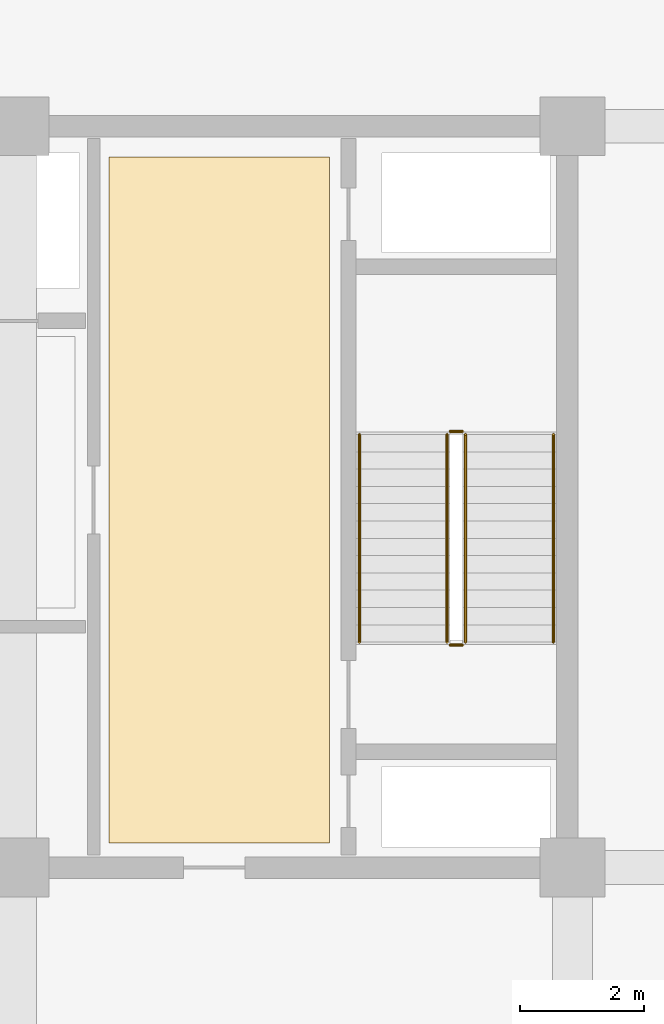
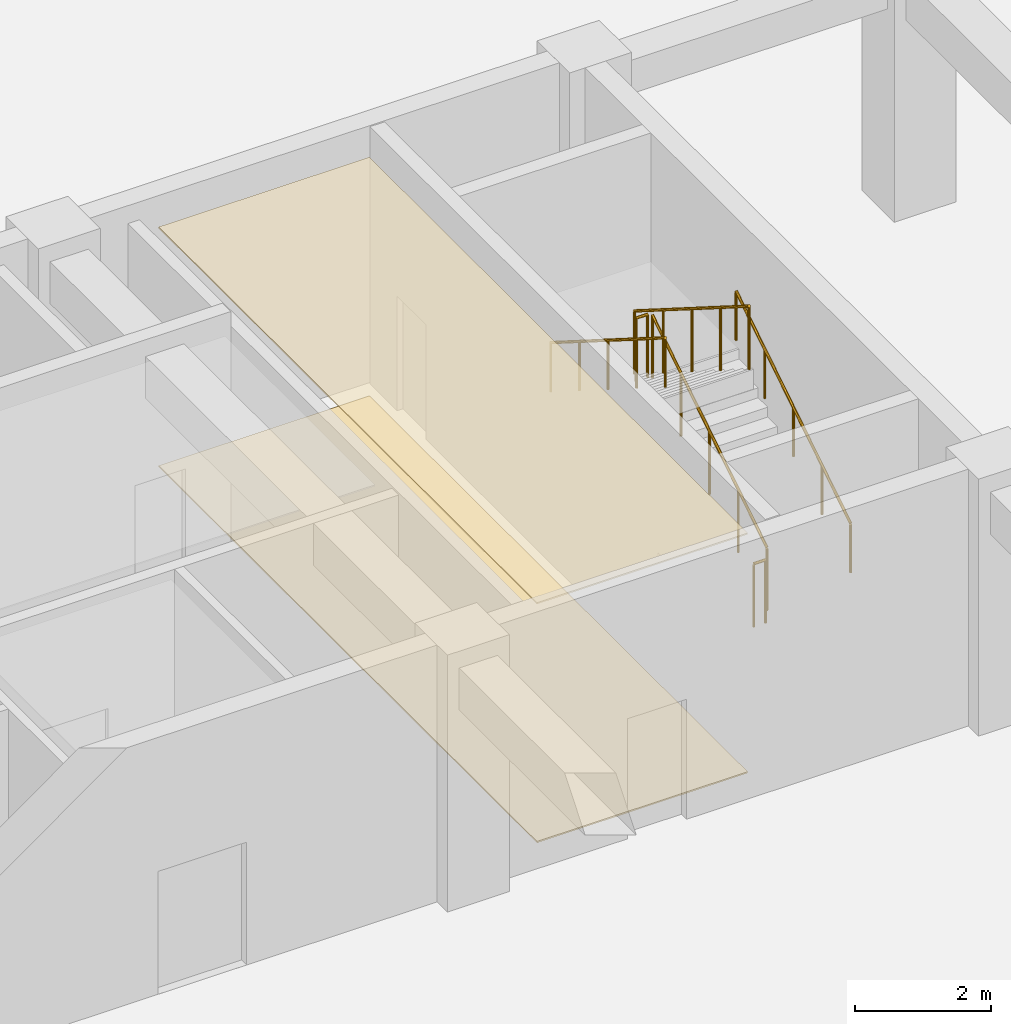
# One storey, part 37 of 45: 6 railings, 2 coverings.
"""IFC4 building model written with IfcOpenShell, lengths in metres."""

from ifc_helpers import new_model, si_unit, direction, frame, origin, origin_2d, place, context, subcontext, project, spatial, polyline, circle, outline, extrude, material, layer, layer_set, type_object, element, save


model = new_model("IFC4")

# Units and contexts
model_context = context("Model", 3, precision=1e-05, world=origin(), true_north=direction((0.0, 1.0)))
body_context = subcontext(model_context, "Body", "Model", "MODEL_VIEW")
ifc_project = project(units=[si_unit("LENGTHUNIT", "METRE"), si_unit("AREAUNIT", "SQUARE_METRE"), si_unit("VOLUMEUNIT", "CUBIC_METRE"), si_unit("PLANEANGLEUNIT", "RADIAN"), si_unit("MASSUNIT", "GRAM", prefix="KILO")], contexts=[model_context])

# Site, building, storey
site_placement = place(None, origin())
site = spatial("IfcSite", under=ifc_project, at=site_placement, CompositionType="ELEMENT")
building_placement = place(site_placement, origin())
building = spatial("IfcBuilding", under=site, at=building_placement, Name="Korimba Cascade Residences", CompositionType="ELEMENT")
storey_placement = place(building_placement, frame((0.0, 0.0, 5.39990234375)))
storey = spatial("IfcBuildingStorey", under=building, at=storey_placement, Name="L01", CompositionType="ELEMENT", Elevation=5.39990234375)

# Coverings
ifc_material_1 = material(Name="Perforated Acoustic Gypsum Ceiling", Category="gypsum")
ifc_layer_1 = layer(ifc_material_1, 0.02490234375)
ifc_layer_set_1 = layer_set([ifc_layer_1], Name="Perforated Acoustic Gypsum Ceiling")
covering_type_1 = type_object("IfcCoveringType", Name="COV-CLG-AC", PredefinedType="CEILING", material=ifc_layer_set_1)
covering_1_placement = place(storey_placement, frame((0.0, 0.0, 4.275146484375)))
element("IfcCovering", 1, at=covering_1_placement, inside=storey, type_object=covering_type_1, Name="L01 Suspended Acoustic Ceiling L01-EV2", PredefinedType="CEILING", context=body_context, shape_type="SweptSolid", body=[
    extrude(outline(polyline([(110.60009765625, 18.800048828125), (114.169921875, 18.800048828125), (114.169921875, 29.89990234375), (110.60009765625, 29.89990234375), (110.60009765625, 18.800048828125)])), origin(), (0.0, 0.0, 1.0), 0.02490234375),
])
ifc_material_2 = material(Name="Honed Travertine Stone Flooring", Category="masonry")
ifc_layer_2 = layer(ifc_material_2, 0.02490234375)
ifc_layer_set_2 = layer_set([ifc_layer_2], Name="Honed Travertine Stone Flooring")
covering_type_2 = type_object("IfcCoveringType", Name="COV-FLR-STN", PredefinedType="FLOORING", material=ifc_layer_set_2)
covering_2_placement = place(storey_placement, origin())
element("IfcCovering", 2, at=covering_2_placement, inside=storey, type_object=covering_type_2, Name="L01 Honed Travertine Stone Flooring L01-EV2", PredefinedType="FLOORING", context=body_context, shape_type="SweptSolid", body=[
    extrude(outline(polyline([(110.60009765625, 18.800048828125), (114.169921875, 18.800048828125), (114.169921875, 29.89990234375), (110.60009765625, 29.89990234375), (110.60009765625, 18.800048828125)])), origin(), (0.0, 0.0, 1.0), 0.025146484375),
])

# Railings
ifc_material_3 = material(Name="Painted Steel Stairwell Guardrail", Category="steel")
railing_type_1 = type_object("IfcRailingType", Name="RLG-ST-GD1150", PredefinedType="GUARDRAIL", material=ifc_material_3)
railing_1_placement = place(storey_placement, frame((116.3701171875, 22.050048828125, 0.177001953125)))
element("IfcRailing", 3, at=railing_1_placement, inside=storey, type_object=railing_type_1, Name="L01 ST-E2 stair guard 1", PredefinedType="GUARDRAIL", context=body_context, shape_type="SweptSolid", body=[
    extrude(circle(Radius=0.02392578125, at=origin_2d()), frame((0.0, 0.0, 1.1259765625), z_axis=(0.0, 0.845372108799, 0.534177870812), x_axis=(-1.0, 0.0, 0.0)), (0.0, 0.0, 1.0), 3.974365234375),
    extrude(circle(Radius=0.02099609375, at=origin_2d()), origin(), (0.0, 0.0, 1.0), 1.101806640625),
    extrude(circle(Radius=0.02099609375, at=origin_2d()), frame((0.0, 0.83984375, 0.53076171875)), (0.0, 0.0, 1.0), 1.101806640625),
    extrude(circle(Radius=0.02099609375, at=origin_2d()), frame((0.0, 1.679931640625, 1.0615234375)), (0.0, 0.0, 1.0), 1.101806640625),
    extrude(circle(Radius=0.02099609375, at=origin_2d()), frame((0.0, 2.52001953125, 1.59228515625)), (0.0, 0.0, 1.0), 1.101806640625),
    extrude(circle(Radius=0.02099609375, at=origin_2d()), frame((0.0, 3.35986328125, 2.123046875)), (0.0, 0.0, 1.0), 1.101806640625),
])
railing_2_placement = place(storey_placement, frame((116.320068359375, 25.4599609375, 2.300048828125)))
element("IfcRailing", 4, at=railing_2_placement, inside=storey, type_object=railing_type_1, Name="L01 ST-E2 stair guard 2", PredefinedType="GUARDRAIL", context=body_context, shape_type="SweptSolid", body=[
    extrude(circle(Radius=0.02392578125, at=origin_2d()), frame((0.0, 0.0, 1.1259765625), z_axis=(-1.0, 0.0, 0.0), x_axis=(0.0, -1.0, 0.0)), (0.0, 0.0, 1.0), 0.199951171875),
    extrude(circle(Radius=0.02099609375, at=origin_2d()), origin(), (0.0, 0.0, 1.0), 1.101806640625),
    extrude(circle(Radius=0.02099609375, at=origin_2d()), frame((-0.199951171875, 0.0, 0.0)), (0.0, 0.0, 1.0), 1.101806640625),
])
railing_3_placement = place(storey_placement, frame((116.070068359375, 25.409912109375, 2.47705078125)))
element("IfcRailing", 5, at=railing_3_placement, inside=storey, type_object=railing_type_1, Name="L01 ST-E2 stair guard 3", PredefinedType="GUARDRAIL", context=body_context, shape_type="SweptSolid", body=[
    extrude(circle(Radius=0.02392578125, at=origin_2d()), frame((0.0, 0.0, 1.1259765625), z_axis=(0.0, -0.845372108799, 0.534177870812), x_axis=(1.0, 0.0, 0.0)), (0.0, 0.0, 1.0), 3.974365234375),
    extrude(circle(Radius=0.02099609375, at=origin_2d()), origin(), (0.0, 0.0, 1.0), 1.101806640625),
    extrude(circle(Radius=0.02099609375, at=origin_2d()), frame((0.0, -0.83984375, 0.53076171875)), (0.0, 0.0, 1.0), 1.101806640625),
    extrude(circle(Radius=0.02099609375, at=origin_2d()), frame((0.0, -1.679931640625, 1.0615234375)), (0.0, 0.0, 1.0), 1.101806640625),
    extrude(circle(Radius=0.02099609375, at=origin_2d()), frame((0.0, -2.52001953125, 1.59228515625)), (0.0, 0.0, 1.0), 1.101806640625),
    extrude(circle(Radius=0.02099609375, at=origin_2d()), frame((0.0, -3.35986328125, 2.123046875)), (0.0, 0.0, 1.0), 1.101806640625),
])
railing_4_placement = place(storey_placement, frame((116.320068359375, 22.0, 0.0)))
element("IfcRailing", 6, at=railing_4_placement, inside=storey, type_object=railing_type_1, Name="L01 ST-E2 stair guard 4", PredefinedType="GUARDRAIL", context=body_context, shape_type="SweptSolid", body=[
    extrude(circle(Radius=0.02392578125, at=origin_2d()), frame((0.0, 0.0, 1.1259765625), z_axis=(-1.0, 0.0, 0.0), x_axis=(0.0, -1.0, 0.0)), (0.0, 0.0, 1.0), 0.199951171875),
    extrude(circle(Radius=0.02099609375, at=origin_2d()), origin(), (0.0, 0.0, 1.0), 1.101806640625),
    extrude(circle(Radius=0.02099609375, at=origin_2d()), frame((-0.199951171875, 0.0, 0.0)), (0.0, 0.0, 1.0), 1.101806640625),
])
ifc_material_4 = material(Name="Brushed Stainless Steel Handrail", Category="steel")
railing_type_2 = type_object("IfcRailingType", Name="RLG-ST-HR900", PredefinedType="HANDRAIL", material=ifc_material_4)
railing_5_placement = place(storey_placement, frame((117.7900390625, 22.050048828125, 0.357666015625)))
element("IfcRailing", 7, at=railing_5_placement, inside=storey, type_object=railing_type_2, Name="L01 ST-E2 stair handrail 1", PredefinedType="HANDRAIL", context=body_context, shape_type="SweptSolid", body=[
    extrude(circle(Radius=0.02392578125, at=origin_2d()), frame((0.0, 0.0, 0.8759765625), z_axis=(0.0, 0.845372108799, 0.534177870812), x_axis=(-1.0, 0.0, 0.0)), (0.0, 0.0, 1.0), 3.974365234375),
    extrude(circle(Radius=0.02099609375, at=origin_2d()), origin(), (0.0, 0.0, 1.0), 0.851806640625),
    extrude(circle(Radius=0.02099609375, at=origin_2d()), frame((0.0, 0.83984375, 0.53076171875)), (0.0, 0.0, 1.0), 0.851806640625),
    extrude(circle(Radius=0.02099609375, at=origin_2d()), frame((0.0, 1.679931640625, 1.0615234375)), (0.0, 0.0, 1.0), 0.851806640625),
    extrude(circle(Radius=0.02099609375, at=origin_2d()), frame((0.0, 2.52001953125, 1.59228515625)), (0.0, 0.0, 1.0), 0.851806640625),
    extrude(circle(Radius=0.02099609375, at=origin_2d()), frame((0.0, 3.35986328125, 2.123046875)), (0.0, 0.0, 1.0), 0.851806640625),
])
railing_6_placement = place(storey_placement, frame((114.64990234375, 25.409912109375, 2.65771484375)))
element("IfcRailing", 8, at=railing_6_placement, inside=storey, type_object=railing_type_2, Name="L01 ST-E2 stair handrail 2", PredefinedType="HANDRAIL", context=body_context, shape_type="SweptSolid", body=[
    extrude(circle(Radius=0.02392578125, at=origin_2d()), frame((0.0, 0.0, 0.8759765625), z_axis=(0.0, -0.845372108799, 0.534177870812), x_axis=(1.0, 0.0, 0.0)), (0.0, 0.0, 1.0), 3.974365234375),
    extrude(circle(Radius=0.02099609375, at=origin_2d()), origin(), (0.0, 0.0, 1.0), 0.851806640625),
    extrude(circle(Radius=0.02099609375, at=origin_2d()), frame((0.0, -0.83984375, 0.53076171875)), (0.0, 0.0, 1.0), 0.851806640625),
    extrude(circle(Radius=0.02099609375, at=origin_2d()), frame((0.0, -1.679931640625, 1.0615234375)), (0.0, 0.0, 1.0), 0.851806640625),
    extrude(circle(Radius=0.02099609375, at=origin_2d()), frame((0.0, -2.52001953125, 1.59228515625)), (0.0, 0.0, 1.0), 0.851806640625),
    extrude(circle(Radius=0.02099609375, at=origin_2d()), frame((0.0, -3.35986328125, 2.123046875)), (0.0, 0.0, 1.0), 0.851806640625),
])

save(model, "model.ifc")
